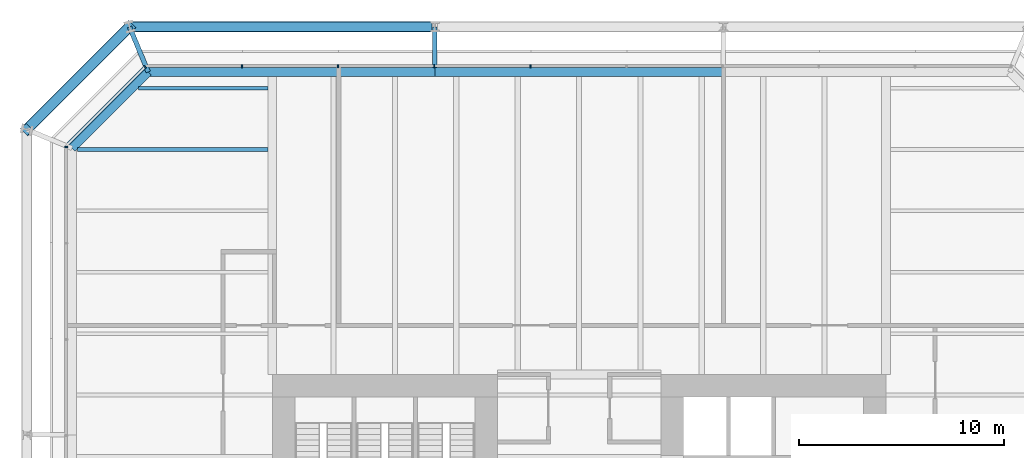
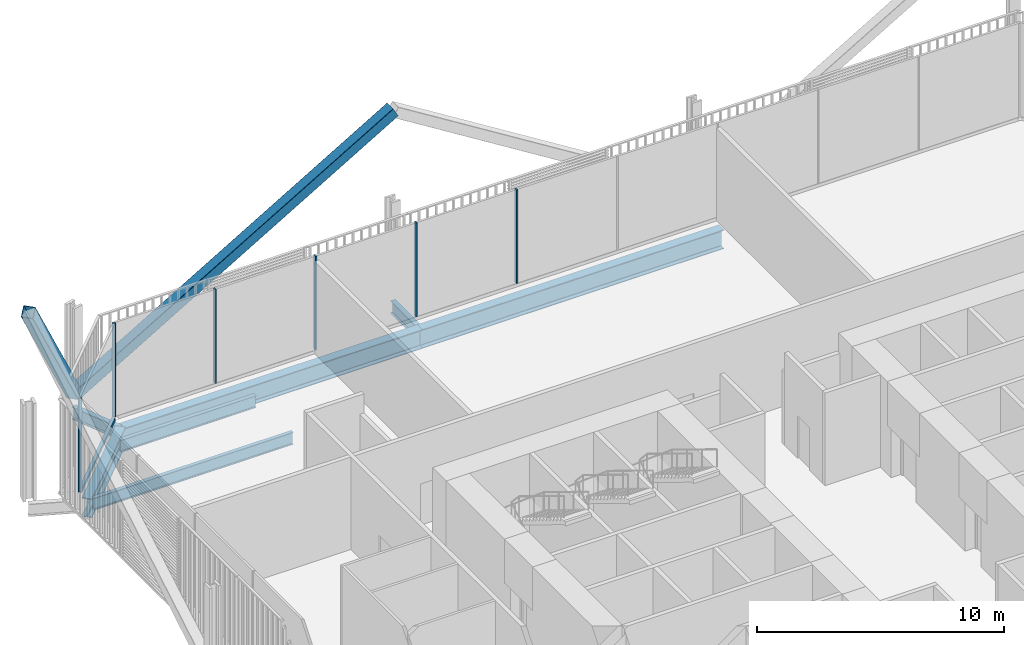
# One storey, part 14 of 22: 9 members, 7 beams, 3 elements without a shape of their own.
"""IFC4 building model written with IfcOpenShell, lengths in metres."""

from ifc_helpers import new_model, si_unit, direction, frame, origin, origin_2d, place, context, subcontext, project, spatial, rectangle, hollow_rectangle, i_section, extrude, material, layer, layer_set, material_profile, profile_set, type_object, element, aggregate, save


model = new_model("IFC4")

# Units and contexts
model_context = context("Model", 3, precision=1e-05, world=origin(), true_north=direction((0.0, 1.0)))
body_context = subcontext(model_context, "Body", "Model", "MODEL_VIEW")
ifc_project = project(units=[si_unit("LENGTHUNIT", "METRE"), si_unit("AREAUNIT", "SQUARE_METRE"), si_unit("VOLUMEUNIT", "CUBIC_METRE"), si_unit("PLANEANGLEUNIT", "RADIAN"), si_unit("MASSUNIT", "GRAM", prefix="KILO")], contexts=[model_context])

# Site, building, storey
site_placement = place(None, origin())
site = spatial("IfcSite", under=ifc_project, at=site_placement, CompositionType="ELEMENT")
building_placement = place(site_placement, origin())
building = spatial("IfcBuilding", under=site, at=building_placement, Name="Millrace Tower", CompositionType="ELEMENT")
storey_placement = place(building_placement, frame((0.0, 0.0, 54.5)))
storey = spatial("IfcBuildingStorey", under=building, at=storey_placement, Name="L12", CompositionType="ELEMENT", Elevation=54.5)

# Curtain wall, members
ifc_material_1 = material(Name="Aluminium and glass", Category="aluminium")
ifc_layer = layer(ifc_material_1, 0.14990234375)
ifc_layer_set = layer_set([ifc_layer], Name="Aluminium and glass")
curtain_wall_type = type_object("IfcCurtainWallType", Name="CW-2 data hall insulated curtain wall", PredefinedType="NOTDEFINED", material=ifc_layer_set)
placement = place(storey_placement, origin())
curtain_wall_1 = element("IfcCurtainWall", 1, at=placement, inside=storey, type_object=curtain_wall_type, Name="Curtain wall A-F06 L12", PredefinedType="NOTDEFINED")
ifc_material_2 = material(Name="Aluminium", Category="aluminium")
ifc_material_profile_1 = material_profile(ifc_material_2, rectangle(XDim=0.06494140625, YDim=0.14990234375, at=origin_2d()))
ifc_profile_set_1 = profile_set([ifc_material_profile_1], Name="Aluminium")
member_type_1 = type_object("IfcMemberType", Name="CW-2 data hall insulated curtain wall mullion", PredefinedType="MULLION", material=ifc_profile_set_1)
member_1_placement = place(storey_placement, frame((-2.382568359375, 25.074951171875, 0.159912109375), z_axis=(0.0, 0.0, 1.0), x_axis=(-1.0, 0.0, 0.0)))
member_1 = element("IfcMember", 2, at=member_1_placement, type_object=member_type_1, Name="CW2 mullion A-F06.6", PredefinedType="MULLION", context=body_context, shape_type="SweptSolid", body=[
    extrude(rectangle(XDim=0.06494140625, YDim=0.14990234375, at=origin_2d()), origin(), (0.0, 0.0, 1.0), 4.64013671875),
])
member_2_placement = place(storey_placement, frame((-7.08251953125, 25.074951171875, 0.159912109375), z_axis=(0.0, 0.0, 1.0), x_axis=(-1.0, 0.0, 0.0)))
member_2 = element("IfcMember", 3, at=member_2_placement, type_object=member_type_1, Name="CW2 mullion A-F06.7", PredefinedType="MULLION", context=body_context, shape_type="SweptSolid", body=[
    extrude(rectangle(XDim=0.06494140625, YDim=0.14990234375, at=origin_2d()), origin(), (0.0, 0.0, 1.0), 4.64013671875),
])
member_3_placement = place(storey_placement, frame((-11.782470703125, 25.074951171875, 0.159912109375), z_axis=(0.0, 0.0, 1.0), x_axis=(-1.0, 0.0, 0.0)))
member_3 = element("IfcMember", 4, at=member_3_placement, type_object=member_type_1, Name="CW2 mullion A-F06.8", PredefinedType="MULLION", context=body_context, shape_type="SweptSolid", body=[
    extrude(rectangle(XDim=0.06494140625, YDim=0.14990234375, at=origin_2d()), origin(), (0.0, 0.0, 1.0), 4.64013671875),
])
member_4_placement = place(storey_placement, frame((-16.482421875, 25.074951171875, 0.159912109375), z_axis=(0.0, 0.0, 1.0), x_axis=(-1.0, 0.0, 0.0)))
member_4 = element("IfcMember", 5, at=member_4_placement, type_object=member_type_1, Name="CW2 mullion A-F06.9", PredefinedType="MULLION", context=body_context, shape_type="SweptSolid", body=[
    extrude(rectangle(XDim=0.06494140625, YDim=0.14990234375, at=origin_2d()), origin(), (0.0, 0.0, 1.0), 4.64013671875),
])
aggregate(curtain_wall_1, [member_1, member_2, member_3, member_4])

# Curtain wall, member
curtain_wall_2 = element("IfcCurtainWall", 6, at=placement, inside=storey, type_object=curtain_wall_type, Name="Curtain wall A-F07 L12", PredefinedType="NOTDEFINED")
member_5_placement = place(storey_placement, frame((-21.22607421875, 25.030029296875, 0.159912109375), z_axis=(0.0, 0.0, 1.0), x_axis=(-0.707106781187, -0.707106781187, 0.0)))
member_5 = element("IfcMember", 7, at=member_5_placement, type_object=member_type_1, Name="CW2 mullion A-F07.1", PredefinedType="MULLION", context=body_context, shape_type="SweptSolid", body=[
    extrude(rectangle(XDim=0.06494140625, YDim=0.14990234375, at=origin_2d()), origin(), (0.0, 0.0, 1.0), 4.64013671875),
])

curtain_wall_3 = element("IfcCurtainWall", 8, at=placement, inside=storey, type_object=curtain_wall_type, Name="Curtain wall A-F08 L12", PredefinedType="NOTDEFINED")
member_6_placement = place(storey_placement, frame((-25.074951171875, 21.117431640625, 0.159912109375), z_axis=(0.0, 0.0, 1.0), x_axis=(0.0, -1.0, 0.0)))
member_6 = element("IfcMember", 9, at=member_6_placement, type_object=member_type_1, Name="CW2 mullion A-F08.1", PredefinedType="MULLION", context=body_context, shape_type="SweptSolid", body=[
    extrude(rectangle(XDim=0.06494140625, YDim=0.14990234375, at=origin_2d()), origin(), (0.0, 0.0, 1.0), 4.64013671875),
])
aggregate(curtain_wall_3, [member_6])

# Member
ifc_material_3 = material(Name="Aluminium", Category="aluminium")
ifc_material_profile_2 = material_profile(ifc_material_3, rectangle(XDim=0.14990234375, YDim=0.159912109375, at=origin_2d()))
ifc_profile_set_2 = profile_set([ifc_material_profile_2], Name="Aluminium")
member_type_2 = type_object("IfcMemberType", Name="CW-2 data hall insulated curtain wall transom", PredefinedType="USERDEFINED", material=ifc_profile_set_2)
member_7_placement = place(storey_placement, frame((-21.273681640625, 24.982421875, 0.080078125), z_axis=(-0.707106781187, -0.707106781187, 0.0), x_axis=(0.707106781187, -0.707106781187, 0.0)))
member_7 = element("IfcMember", 10, at=member_7_placement, type_object=member_type_2, Name="CW2 transom A-F07.1", ObjectType="TRANSOM", PredefinedType="USERDEFINED", context=body_context, shape_type="SweptSolid", body=[
    extrude(rectangle(XDim=0.14990234375, YDim=0.159912109375, at=origin_2d()), origin(), (0.0, 0.0, 1.0), 5.244873046875),
])

aggregate(curtain_wall_2, [member_5, member_7])

# Members
ifc_material_4 = material(Name="Steel ASTM A500 Grade C", Category="steel")
ifc_material_profile_3 = material_profile(ifc_material_4, hollow_rectangle(XDim=0.508056640625, YDim=0.508056640625, WallThickness=0.01904296875, InnerFilletRadius=0.009521484375, OuterFilletRadius=0.028564453125, at=origin_2d()))
ifc_profile_set_3 = profile_set([ifc_material_profile_3], Name="Steel ASTM A500 Grade C")
member_type_3 = type_object("IfcMemberType", Name="Exoskeleton brace HSS20x20x3/4", PredefinedType="BRACE", material=ifc_profile_set_3)
member_8_placement = place(storey_placement, frame((-21.978515625, 27.0, 0.39990234375), z_axis=(0.861464835883, 0.0, 0.507817227491), x_axis=(0.0, 1.0, 0.0)))
element("IfcMember", 11, at=member_8_placement, inside=storey, type_object=member_type_3, Name="BRC-A-L12-12", PredefinedType="BRACE", context=body_context, shape_type="SweptSolid", body=[
    extrude(hollow_rectangle(XDim=0.508056640625, YDim=0.508056640625, WallThickness=0.01904296875, InnerFilletRadius=0.009521484375, OuterFilletRadius=0.028564453125, at=origin_2d()), origin(), (0.0, 0.0, 1.0), 17.3291015625),
])
member_9_placement = place(storey_placement, frame((-21.978515625, 27.0, 0.39990234375), z_axis=(-0.444063713793, -0.444063713793, 0.77821259061), x_axis=(0.707106781187, -0.707106781187, 0.0)))
element("IfcMember", 12, at=member_9_placement, inside=storey, type_object=member_type_3, Name="BRC-A-L12-13", PredefinedType="BRACE", context=body_context, shape_type="SweptSolid", body=[
    extrude(hollow_rectangle(XDim=0.508056640625, YDim=0.508056640625, WallThickness=0.01904296875, InnerFilletRadius=0.009521484375, OuterFilletRadius=0.028564453125, at=origin_2d()), origin(), (0.0, 0.0, 1.0), 11.30810546875),
])

# Beams
ifc_material_5 = material(Name="Steel ASTM A992 Grade 50", Category="steel")
ifc_material_profile_4 = material_profile(ifc_material_5, i_section(OverallWidth=0.177978515625, OverallDepth=0.599365234375, WebThickness=0.010009765625, FlangeThickness=0.012939453125, FilletRadius=0.012939453125, at=origin_2d()))
ifc_profile_set_4 = profile_set([ifc_material_profile_4], Name="Steel ASTM A992 Grade 50")
beam_type_1 = type_object("IfcBeamType", Name="Floor beam W24x55", PredefinedType="JOIST", material=ifc_profile_set_4)
beam_1_placement = place(storey_placement, frame((-21.52978515625, 24.0, -0.524658203125), z_axis=(1.0, 0.0, 0.0), x_axis=(0.0, 1.0, 0.0)))
element("IfcBeam", 13, at=beam_1_placement, inside=storey, type_object=beam_type_1, Name="BM-A-L12-S1-S040", PredefinedType="JOIST", context=body_context, shape_type="SweptSolid", body=[
    extrude(i_section(OverallWidth=0.177978515625, OverallDepth=0.599365234375, WebThickness=0.010009765625, FlangeThickness=0.012939453125, FilletRadius=0.012939453125, at=origin_2d()), origin(), (0.0, 0.0, 1.0), 6.317626953125),
])
ifc_material_6 = material(Name="Steel ASTM A992 Grade 50", Category="steel")
ifc_material_profile_5 = material_profile(ifc_material_6, i_section(OverallWidth=0.1787109375, OverallDepth=0.60205078125, WebThickness=0.010986328125, FlangeThickness=0.014892578125, FilletRadius=0.0126953125, at=origin_2d()))
ifc_profile_set_5 = profile_set([ifc_material_profile_5], Name="Steel ASTM A992 Grade 50")
beam_type_2 = type_object("IfcBeamType", Name="Floor beam W24x62", PredefinedType="JOIST", material=ifc_profile_set_5)
beam_2_placement = place(storey_placement, frame((-24.52978515625, 21.0, -0.52587890625), z_axis=(1.0, 0.0, 0.0), x_axis=(0.0, 1.0, 0.0)))
element("IfcBeam", 14, at=beam_2_placement, inside=storey, type_object=beam_type_2, Name="BM-A-L12-S1-S038", PredefinedType="JOIST", context=body_context, shape_type="SweptSolid", body=[
    extrude(i_section(OverallWidth=0.1787109375, OverallDepth=0.60205078125, WebThickness=0.010986328125, FlangeThickness=0.014892578125, FilletRadius=0.0126953125, at=origin_2d()), origin(), (0.0, 0.0, 1.0), 9.317626953125),
])
ifc_material_7 = material(Name="Steel ASTM A992 Grade 50", Category="steel")
ifc_material_profile_6 = material_profile(ifc_material_7, i_section(OverallWidth=0.23046875, OverallDepth=0.6171875, WebThickness=0.01318359375, FlangeThickness=0.022216796875, FilletRadius=0.012939453125, at=origin_2d()))
ifc_profile_set_6 = profile_set([ifc_material_profile_6], Name="Steel ASTM A992 Grade 50")
beam_type_3 = type_object("IfcBeamType", Name="Link beam W24x94", PredefinedType="BEAM", material=ifc_profile_set_6)
beam_3_placement = place(storey_placement, frame((-21.062744140625, 24.7890625, -0.53369140625), z_axis=(-0.382673155247, 0.923883789366, 0.0), x_axis=(-0.923883789366, -0.382673155247, 0.0)))
element("IfcBeam", 15, at=beam_3_placement, inside=storey, type_object=beam_type_3, Name="LNK-A-L12-S1-05", PredefinedType="BEAM", context=body_context, shape_type="SweptSolid", body=[
    extrude(i_section(OverallWidth=0.23046875, OverallDepth=0.6171875, WebThickness=0.01318359375, FlangeThickness=0.022216796875, FilletRadius=0.012939453125, at=origin_2d()), origin(), (0.0, 0.0, 1.0), 2.39306640625),
])
beam_4_placement = place(storey_placement, frame((-7.050048828125, 25.0, -0.53369140625), z_axis=(0.0, 1.0, 0.0), x_axis=(-1.0, 0.0, 0.0)))
element("IfcBeam", 16, at=beam_4_placement, inside=storey, type_object=beam_type_3, Name="LNK-A-L12-S1-06", PredefinedType="BEAM", context=body_context, shape_type="SweptSolid", body=[
    extrude(i_section(OverallWidth=0.23046875, OverallDepth=0.6171875, WebThickness=0.01318359375, FlangeThickness=0.022216796875, FilletRadius=0.012939453125, at=origin_2d()), origin(), (0.0, 0.0, 1.0), 2.0),
])
ifc_material_8 = material(Name="Steel ASTM A992 Grade 50", Category="steel")
ifc_material_profile_7 = material_profile(ifc_material_8, i_section(OverallWidth=0.421630859375, OverallDepth=0.937255859375, WebThickness=0.021240234375, FlangeThickness=0.03662109375, FilletRadius=0.024169921875, at=origin_2d()))
ifc_profile_set_7 = profile_set([ifc_material_profile_7], Name="Steel ASTM A992 Grade 50")
beam_type_4 = type_object("IfcBeamType", Name="Ring beam medium span W36x262", PredefinedType="SPANDREL", material=ifc_profile_set_7)
beam_5_placement = place(storey_placement, frame((-21.062744140625, 24.7890625, -0.693603515625), z_axis=(1.0, 0.0, 0.0), x_axis=(0.0, 1.0, 0.0)))
element("IfcBeam", 17, at=beam_5_placement, inside=storey, type_object=beam_type_4, Name="RNG-A-L12-S1-05", PredefinedType="SPANDREL", context=body_context, shape_type="SweptSolid", body=[
    extrude(i_section(OverallWidth=0.421630859375, OverallDepth=0.937255859375, WebThickness=0.021240234375, FlangeThickness=0.03662109375, FilletRadius=0.024169921875, at=origin_2d()), origin(), (0.0, 0.0, 1.0), 14.0126953125),
])
beam_6_placement = place(storey_placement, frame((-7.050048828125, 24.7890625, -0.693603515625), z_axis=(1.0, 0.0, 0.0), x_axis=(0.0, 1.0, 0.0)))
element("IfcBeam", 18, at=beam_6_placement, inside=storey, type_object=beam_type_4, Name="RNG-A-L12-S1-06", PredefinedType="SPANDREL", context=body_context, shape_type="SweptSolid", body=[
    extrude(i_section(OverallWidth=0.421630859375, OverallDepth=0.937255859375, WebThickness=0.021240234375, FlangeThickness=0.03662109375, FilletRadius=0.024169921875, at=origin_2d()), origin(), (0.0, 0.0, 1.0), 14.10009765625),
])
ifc_material_9 = material(Name="Steel ASTM A992 Grade 50", Category="steel")
ifc_material_profile_8 = material_profile(ifc_material_9, i_section(OverallWidth=0.421630859375, OverallDepth=0.937255859375, WebThickness=0.021240234375, FlangeThickness=0.03662109375, FilletRadius=0.024169921875, at=origin_2d()))
ifc_profile_set_8 = profile_set([ifc_material_profile_8], Name="Steel ASTM A992 Grade 50")
beam_type_5 = type_object("IfcBeamType", Name="Ring beam short span W36x262", PredefinedType="SPANDREL", material=ifc_profile_set_8)
beam_7_placement = place(storey_placement, frame((-24.7890625, 21.062744140625, -0.693603515625), z_axis=(0.707106781187, 0.707106781187, 0.0), x_axis=(-0.707106781187, 0.707106781187, 0.0)))
element("IfcBeam", 19, at=beam_7_placement, inside=storey, type_object=beam_type_5, Name="RNG-A-L12-S1-04", PredefinedType="SPANDREL", context=body_context, shape_type="SweptSolid", body=[
    extrude(i_section(OverallWidth=0.421630859375, OverallDepth=0.937255859375, WebThickness=0.021240234375, FlangeThickness=0.03662109375, FilletRadius=0.024169921875, at=origin_2d()), origin(), (0.0, 0.0, 1.0), 5.269775390625),
])

save(model, "model.ifc")
